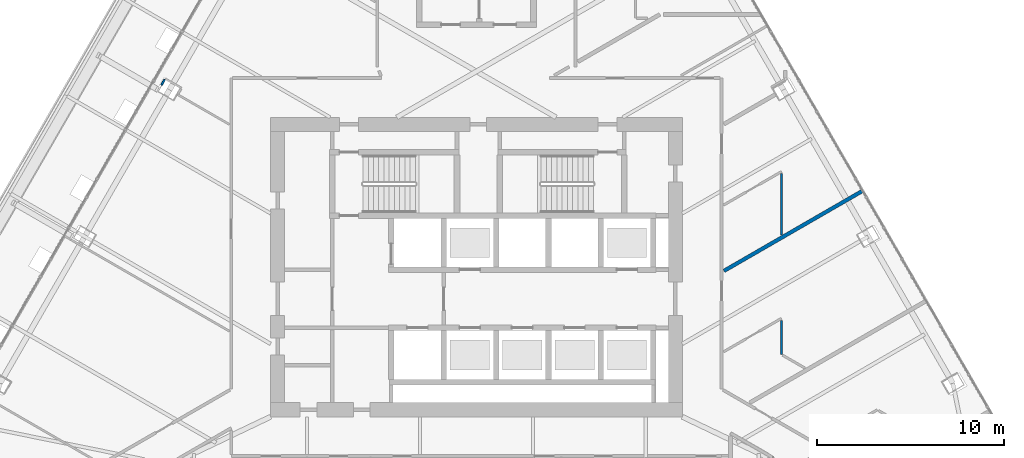
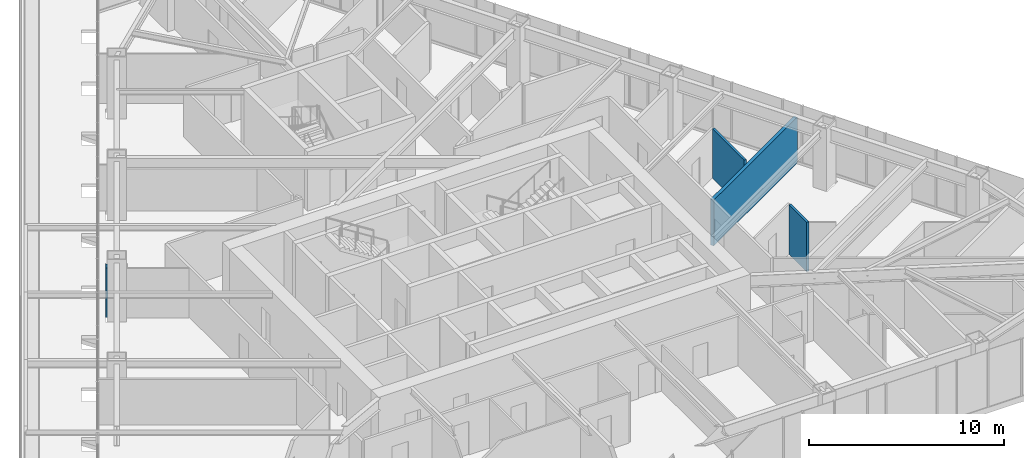
# One storey, part 29 of 35: 4 walls.
"""IFC4 building model written with IfcOpenShell, lengths in metres."""

from ifc_helpers import new_model, si_unit, direction, frame, frame_2d, origin, place, context, subcontext, project, spatial, rectangle, extrude, material, layer, layer_set, type_object, element, save


model = new_model("IFC4")

# Units and contexts
model_context = context("Model", 3, precision=1e-05, world=origin(), true_north=direction((0.0, 1.0)))
body_context = subcontext(model_context, "Body", "Model", "MODEL_VIEW")
ifc_project = project(units=[si_unit("LENGTHUNIT", "METRE"), si_unit("AREAUNIT", "SQUARE_METRE"), si_unit("VOLUMEUNIT", "CUBIC_METRE"), si_unit("PLANEANGLEUNIT", "RADIAN"), si_unit("MASSUNIT", "GRAM", prefix="KILO")], contexts=[model_context])

# Site, building, storey
site_placement = place(None, origin())
site = spatial("IfcSite", under=ifc_project, at=site_placement, CompositionType="ELEMENT")
building_placement = place(site_placement, origin())
building = spatial("IfcBuilding", under=site, at=building_placement, Name="Firuza Gate Tower and Library", CompositionType="ELEMENT")
storey_placement = place(building_placement, frame((0.0, 0.0, 159.699951171875)))
storey = spatial("IfcBuildingStorey", under=building, at=storey_placement, Name="L36", CompositionType="ELEMENT", Elevation=159.699951171875)

# Walls
ifc_material_1 = material(Name="Gypsum board partition")
ifc_layer_1 = layer(ifc_material_1, 0.199951171875)
ifc_layer_set_1 = layer_set([ifc_layer_1], Name="Demising wall 200 acoustic double stud")
wall_type_1 = type_object("IfcWallType", Name="Demising wall 200 acoustic double stud", PredefinedType="PARTITIONING", material=ifc_layer_set_1)
wall_1_placement = place(storey_placement, frame((88.227294921875, 74.795166015625, 0.0), z_axis=(0.0, 0.0, 1.0), x_axis=(0.866017652766, 0.500013424917, 0.0)))
element("IfcWall", 1, at=wall_1_placement, inside=storey, type_object=wall_type_1, Name="f:L36:w022", PredefinedType="PARTITIONING", context=body_context, shape_type="SweptSolid", body=[
    extrude(rectangle(XDim=8.546142578125, YDim=0.199951171875, at=frame_2d((4.27294921875, 0.0))), origin(), (0.0, 0.0, 1.0), 2.864990234375),
])
ifc_material_2 = material(Name="Gypsum board partition")
ifc_layer_2 = layer(ifc_material_2, 0.10009765625)
ifc_layer_set_2 = layer_set([ifc_layer_2], Name="Partition 100 gypsum board on steel studs")
wall_type_2 = type_object("IfcWallType", Name="Partition 100 gypsum board on steel studs", PredefinedType="PARTITIONING", material=ifc_layer_set_2)
wall_2_placement = place(storey_placement, frame((58.165771484375, 84.719970703125, 0.0), z_axis=(0.0, 0.0, 1.0), x_axis=(0.499601298118, 0.866255472086, 0.0)))
element("IfcWall", 2, at=wall_2_placement, inside=storey, type_object=wall_type_2, Name="f:L36:w038", PredefinedType="PARTITIONING", context=body_context, shape_type="SweptSolid", body=[
    extrude(rectangle(XDim=0.348876953125, YDim=0.10009765625, at=frame_2d((0.17431640625, 0.0))), origin(), (0.0, 0.0, 1.0), 3.10009765625),
])
ifc_material_3 = material(Name="Gypsum board partition")
ifc_layer_3 = layer(ifc_material_3, 0.1201171875)
ifc_layer_set_3 = layer_set([ifc_layer_3], Name="Wet-area partition 120 moisture-resistant board")
wall_type_3 = type_object("IfcWallType", Name="Wet-area partition 120 moisture-resistant board", PredefinedType="PARTITIONING", material=ifc_layer_set_3)
wall_3_placement = place(storey_placement, frame((91.300048828125, 70.323486328125, 0.0), z_axis=(0.0, 0.0, 1.0), x_axis=(0.0, 1.0, 0.0)))
element("IfcWall", 3, at=wall_3_placement, inside=storey, type_object=wall_type_3, Name="f:L36:w043", PredefinedType="PARTITIONING", context=body_context, shape_type="SweptSolid", body=[
    extrude(rectangle(XDim=1.824462890625, YDim=0.1201171875, at=frame_2d((0.912109375, 0.0))), origin(), (0.0, 0.0, 1.0), 3.10009765625),
])
wall_4_placement = place(storey_placement, frame((91.300048828125, 76.725341796875, 0.0), z_axis=(0.0, 0.0, 1.0), x_axis=(0.0, 1.0, 0.0)))
element("IfcWall", 4, at=wall_4_placement, inside=storey, type_object=wall_type_3, Name="f:L36:w044", PredefinedType="PARTITIONING", context=body_context, shape_type="SweptSolid", body=[
    extrude(rectangle(XDim=3.263671875, YDim=0.1201171875, at=frame_2d((1.6318359375, 0.0))), origin(), (0.0, 0.0, 1.0), 3.10009765625),
])

save(model, "model.ifc")
